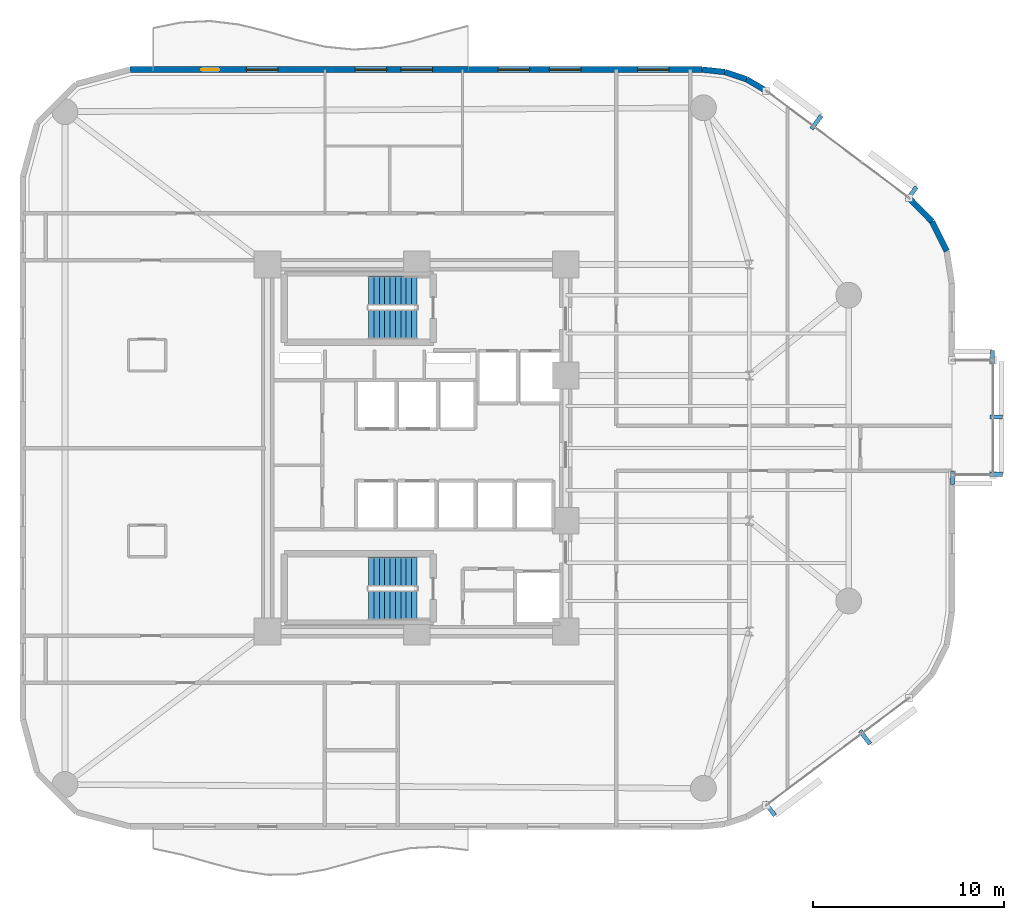
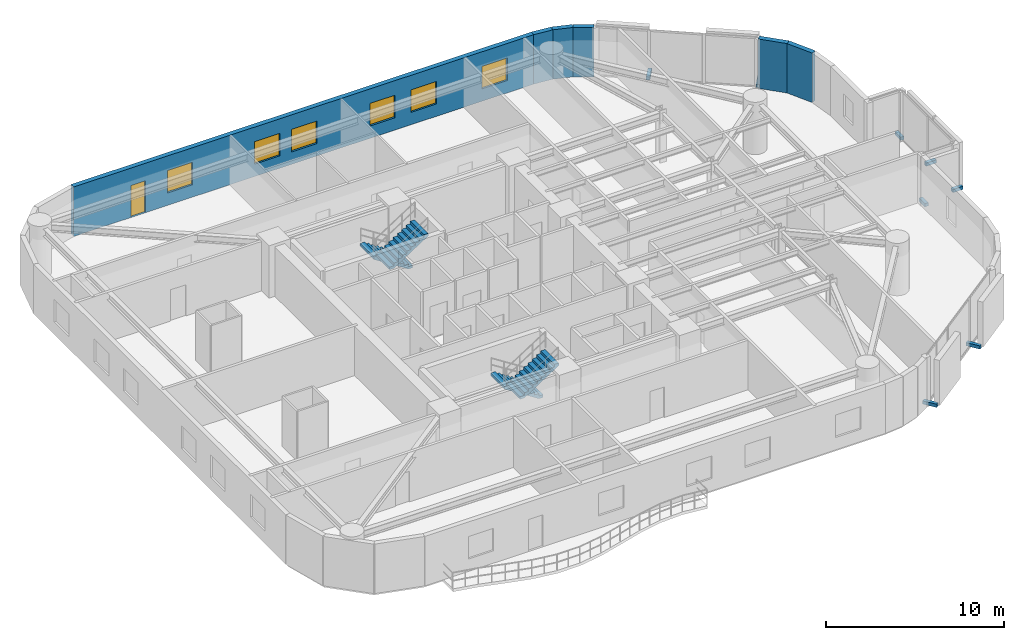
# One storey, part 11 of 14: 8 discrete accessories, 6 walls, 6 windows, 4 stair flights, 1 door, 7 openings, 2 elements without a shape of their own.
"""IFC4 building model written with IfcOpenShell, lengths in metres."""

from ifc_helpers import new_model, si_unit, direction, frame, frame_2d, origin, origin_2d, place, context, subcontext, project, spatial, polyline, rectangle, outline, extrude, material, layer, layer_set, type_object, element, fill, aggregate, save


model = new_model("IFC4")

# Units and contexts
model_context = context("Model", 3, precision=1e-05, world=origin(), true_north=direction((0.0, 1.0)))
body_context = subcontext(model_context, "Body", "Model", "MODEL_VIEW")
ifc_project = project(units=[si_unit("LENGTHUNIT", "METRE"), si_unit("AREAUNIT", "SQUARE_METRE"), si_unit("VOLUMEUNIT", "CUBIC_METRE"), si_unit("PLANEANGLEUNIT", "RADIAN"), si_unit("MASSUNIT", "GRAM", prefix="KILO")], contexts=[model_context])

# Site, building, storey
site_placement = place(None, origin())
site = spatial("IfcSite", under=ifc_project, at=site_placement, CompositionType="ELEMENT")
building_placement = place(site_placement, origin())
building = spatial("IfcBuilding", under=site, at=building_placement, Name="An Khanh Terracotta Commons", CompositionType="ELEMENT")
storey_placement = place(building_placement, frame((0.0, 0.0, 115.10009765625)))
storey = spatial("IfcBuildingStorey", under=building, at=storey_placement, Name="L30", CompositionType="ELEMENT", Elevation=115.10009765625)

# Walls
ifc_material_1 = material(Name="Precast concrete C40/50", Category="concrete")
ifc_layer = layer(ifc_material_1, 0.300048828125, Name="Precast concrete C40/50")
ifc_layer_set = layer_set([ifc_layer], Name="Precast concrete C40/50")
wall_type = type_object("IfcWallType", Name="WALL-EXT-300", PredefinedType="SOLIDWALL", material=ifc_layer_set)
for number, where, z_axis, x_axis, name in (
    (1, (57.135009765625, 34.303955078125, 0.0), (0.0, 0.0, 1.0), (-0.4472135955, 0.894427191, 0.0), "L30 Insulated Terracotta Exterior Wall 14"),
    (2, (56.364013671875, 35.845947265625, 0.0), (0.0, 0.0, 1.0), (-0.6983450845, 0.715761233201, 0.0), "L30 Insulated Terracotta Exterior Wall 15"),
):
    element("IfcWall", number, at=place(storey_placement, frame(where, z_axis=z_axis, x_axis=x_axis)), inside=storey, type_object=wall_type, Name=name, PredefinedType="SOLIDWALL", context=body_context, shape_type="SweptSolid", body=[
        extrude(rectangle(XDim=1.72412109375, YDim=0.300048828125, at=frame_2d((0.862060546875, 0.0))), origin(), (0.0, 0.0, 1.0), 3.39990234375),
    ])
wall_1_placement = place(storey_placement, frame((47.693115234375, 42.679931640625, 0.0), z_axis=(0.0, 0.0, 1.0), x_axis=(-0.859320591642, 0.511437308749, 0.0)))
element("IfcWall", 3, at=wall_1_placement, inside=storey, type_object=wall_type, Name="L30 Insulated Terracotta Exterior Wall 17", PredefinedType="SOLIDWALL", context=body_context, shape_type="SweptSolid", body=[
    extrude(rectangle(XDim=1.19873046875, YDim=0.300048828125, at=frame_2d((0.599365234375, 0.0))), origin(), (0.0, 0.0, 1.0), 3.39990234375),
])
wall_2_placement = place(storey_placement, frame((46.6630859375, 43.29296875, 0.0), z_axis=(0.0, 0.0, 1.0), x_axis=(-0.948744332129, 0.316044604847, 0.0)))
element("IfcWall", 4, at=wall_2_placement, inside=storey, type_object=wall_type, Name="L30 Insulated Terracotta Exterior Wall 18", PredefinedType="SOLIDWALL", context=body_context, shape_type="SweptSolid", body=[
    extrude(rectangle(XDim=1.19970703125, YDim=0.300048828125, at=frame_2d((0.599853515625, 0.0))), origin(), (0.0, 0.0, 1.0), 3.39990234375),
])
wall_3_placement = place(storey_placement, frame((45.52490234375, 43.672119140625, 0.0), z_axis=(0.0, 0.0, 1.0), x_axis=(-0.994289103787, 0.106720092254, 0.0)))
element("IfcWall", 5, at=wall_3_placement, inside=storey, type_object=wall_type, Name="L30 Insulated Terracotta Exterior Wall 19", PredefinedType="SOLIDWALL", context=body_context, shape_type="SweptSolid", body=[
    extrude(rectangle(XDim=1.19873046875, YDim=0.300048828125, at=frame_2d((0.599365234375, 0.0))), origin(), (0.0, 0.0, 1.0), 3.39990234375),
])

# Wall, openings, door, windows
wall_4_placement = place(storey_placement, frame((44.3330078125, 43.800048828125, 0.0), z_axis=(0.0, 0.0, 1.0), x_axis=(-1.0, 0.0, 0.0)))
wall_4 = element("IfcWall", 6, at=wall_4_placement, inside=storey, type_object=wall_type, Name="L30 Insulated Terracotta Exterior Wall 20", PredefinedType="SOLIDWALL", context=body_context, shape_type="SweptSolid", body=[
    extrude(rectangle(XDim=29.93310546875, YDim=0.300048828125, at=frame_2d((14.966552734375, 0.0))), origin(), (0.0, 0.0, 1.0), 3.39990234375),
])
opening_1_placement = place(wall_4_placement, frame((25.258056640625, 0.0, 0.0)))
opening_1 = element("IfcOpeningElement", 7, at=opening_1_placement, cuts=wall_4, Name="Opening D-BAL", PredefinedType="OPENING", context=body_context, shape_type="SweptSolid", body=[
    extrude(rectangle(XDim=0.949951171875, YDim=2.199951171875, at=frame_2d((0.47509765625, 1.10009765625))), frame((0.0, 0.159912109375, 0.0), z_axis=(0.0, -1.0, 0.0), x_axis=(1.0, 0.0, 0.0)), (0.0, 0.0, 1.0), 0.320068359375),
])
opening_2_placement = place(wall_4_placement, frame((1.72900390625, 0.0, 0.85009765625)))
opening_2 = element("IfcOpeningElement", 8, at=opening_2_placement, cuts=wall_4, Name="Opening W-02", PredefinedType="OPENING", context=body_context, shape_type="SweptSolid", body=[
    extrude(rectangle(XDim=1.64990234375, YDim=1.550048828125, at=frame_2d((0.824951171875, 0.77490234375))), frame((0.0, 0.159912109375, 0.0), z_axis=(0.0, -1.0, 0.0), x_axis=(1.0, 0.0, 0.0)), (0.0, 0.0, 1.0), 0.320068359375),
])
opening_3_placement = place(wall_4_placement, frame((6.341064453125, 0.0, 0.85009765625)))
opening_3 = element("IfcOpeningElement", 9, at=opening_3_placement, cuts=wall_4, Name="Opening W-02", PredefinedType="OPENING", context=body_context, shape_type="SweptSolid", body=[
    extrude(rectangle(XDim=1.64990234375, YDim=1.550048828125, at=frame_2d((0.824951171875, 0.77490234375))), frame((0.0, 0.159912109375, 0.0), z_axis=(0.0, -1.0, 0.0), x_axis=(1.0, 0.0, 0.0)), (0.0, 0.0, 1.0), 0.320068359375),
])
opening_4_placement = place(wall_4_placement, frame((9.02490234375, 0.0, 0.85009765625)))
opening_4 = element("IfcOpeningElement", 10, at=opening_4_placement, cuts=wall_4, Name="Opening W-02", PredefinedType="OPENING", context=body_context, shape_type="SweptSolid", body=[
    extrude(rectangle(XDim=1.64990234375, YDim=1.550048828125, at=frame_2d((0.824951171875, 0.77490234375))), frame((0.0, 0.159912109375, 0.0), z_axis=(0.0, -1.0, 0.0), x_axis=(1.0, 0.0, 0.0)), (0.0, 0.0, 1.0), 0.320068359375),
])
opening_5_placement = place(wall_4_placement, frame((14.10791015625, 0.0, 0.85009765625)))
opening_5 = element("IfcOpeningElement", 11, at=opening_5_placement, cuts=wall_4, Name="Opening W-02", PredefinedType="OPENING", context=body_context, shape_type="SweptSolid", body=[
    extrude(rectangle(XDim=1.64990234375, YDim=1.550048828125, at=frame_2d((0.824951171875, 0.77490234375))), frame((0.0, 0.159912109375, 0.0), z_axis=(0.0, -1.0, 0.0), x_axis=(1.0, 0.0, 0.0)), (0.0, 0.0, 1.0), 0.320068359375),
])
opening_6_placement = place(wall_4_placement, frame((16.508056640625, 0.0, 0.85009765625)))
opening_6 = element("IfcOpeningElement", 12, at=opening_6_placement, cuts=wall_4, Name="Opening W-02", PredefinedType="OPENING", context=body_context, shape_type="SweptSolid", body=[
    extrude(rectangle(XDim=1.64990234375, YDim=1.550048828125, at=frame_2d((0.824951171875, 0.77490234375))), frame((0.0, 0.159912109375, 0.0), z_axis=(0.0, -1.0, 0.0), x_axis=(1.0, 0.0, 0.0)), (0.0, 0.0, 1.0), 0.320068359375),
])
opening_7_placement = place(wall_4_placement, frame((22.19091796875, 0.0, 0.85009765625)))
opening_7 = element("IfcOpeningElement", 13, at=opening_7_placement, cuts=wall_4, Name="Opening W-02", PredefinedType="OPENING", context=body_context, shape_type="SweptSolid", body=[
    extrude(rectangle(XDim=1.64990234375, YDim=1.550048828125, at=frame_2d((0.824951171875, 0.77490234375))), frame((0.0, 0.159912109375, 0.0), z_axis=(0.0, -1.0, 0.0), x_axis=(1.0, 0.0, 0.0)), (0.0, 0.0, 1.0), 0.320068359375),
])
ifc_material_2 = material(Name="Thermally Broken Aluminium and Low-E Glass", Category="aluminium")
door_type = type_object("IfcDoorType", Name="DOOR-BALC-950", OperationType="NOTDEFINED", PredefinedType="DOOR", material=ifc_material_2)
door_placement = place(opening_1_placement, origin())
door = element("IfcDoor", 14, at=door_placement, inside=storey, type_object=door_type, Name="L30 N Wave Balcony Glazed Door", OperationType="SINGLE_SWING_RIGHT", OverallHeight=2.199951171875, OverallWidth=0.949951171875, PredefinedType="DOOR", context=body_context, shape_type="SweptSolid", body=[
    extrude(rectangle(XDim=0.949951171875, YDim=2.199951171875, at=frame_2d((0.47509765625, 1.10009765625))), frame((0.0, 0.02490234375, 0.0), z_axis=(0.0, -1.0, 0.0), x_axis=(1.0, 0.0, 0.0)), (0.0, 0.0, 1.0), 0.050048828125),
])
fill(opening_1, door)
window_type = type_object("IfcWindowType", Name="WIN-Z2-1650x1550", PartitioningType="DOUBLE_PANEL_VERTICAL", PredefinedType="WINDOW", material=ifc_material_2)
window_1_placement = place(opening_2_placement, origin())
window_1 = element("IfcWindow", 15, at=window_1_placement, inside=storey, type_object=window_type, Name="L30 Operable Casement Window 20.1", OverallHeight=1.550048828125, OverallWidth=1.64990234375, PartitioningType="DOUBLE_PANEL_VERTICAL", PredefinedType="WINDOW", context=body_context, shape_type="SweptSolid", body=[
    extrude(rectangle(XDim=1.64990234375, YDim=1.550048828125, at=frame_2d((0.824951171875, 0.77490234375))), frame((0.0, 0.030029296875, 0.0), z_axis=(0.0, -1.0, 0.0), x_axis=(1.0, 0.0, 0.0)), (0.0, 0.0, 1.0), 0.06005859375),
])
fill(opening_2, window_1)
window_2_placement = place(opening_3_placement, origin())
window_2 = element("IfcWindow", 16, at=window_2_placement, inside=storey, type_object=window_type, Name="L30 Operable Casement Window 20.2", OverallHeight=1.550048828125, OverallWidth=1.64990234375, PartitioningType="DOUBLE_PANEL_VERTICAL", PredefinedType="WINDOW", context=body_context, shape_type="SweptSolid", body=[
    extrude(rectangle(XDim=1.64990234375, YDim=1.550048828125, at=frame_2d((0.824951171875, 0.77490234375))), frame((0.0, 0.030029296875, 0.0), z_axis=(0.0, -1.0, 0.0), x_axis=(1.0, 0.0, 0.0)), (0.0, 0.0, 1.0), 0.06005859375),
])
fill(opening_3, window_2)
window_3_placement = place(opening_4_placement, origin())
window_3 = element("IfcWindow", 17, at=window_3_placement, inside=storey, type_object=window_type, Name="L30 Operable Casement Window 20.3", OverallHeight=1.550048828125, OverallWidth=1.64990234375, PartitioningType="DOUBLE_PANEL_VERTICAL", PredefinedType="WINDOW", context=body_context, shape_type="SweptSolid", body=[
    extrude(rectangle(XDim=1.64990234375, YDim=1.550048828125, at=frame_2d((0.824951171875, 0.77490234375))), frame((0.0, 0.030029296875, 0.0), z_axis=(0.0, -1.0, 0.0), x_axis=(1.0, 0.0, 0.0)), (0.0, 0.0, 1.0), 0.06005859375),
])
fill(opening_4, window_3)
window_4_placement = place(opening_5_placement, origin())
window_4 = element("IfcWindow", 18, at=window_4_placement, inside=storey, type_object=window_type, Name="L30 Operable Casement Window 20.4", OverallHeight=1.550048828125, OverallWidth=1.64990234375, PartitioningType="DOUBLE_PANEL_VERTICAL", PredefinedType="WINDOW", context=body_context, shape_type="SweptSolid", body=[
    extrude(rectangle(XDim=1.64990234375, YDim=1.550048828125, at=frame_2d((0.824951171875, 0.77490234375))), frame((0.0, 0.030029296875, 0.0), z_axis=(0.0, -1.0, 0.0), x_axis=(1.0, 0.0, 0.0)), (0.0, 0.0, 1.0), 0.06005859375),
])
fill(opening_5, window_4)
window_5_placement = place(opening_6_placement, origin())
window_5 = element("IfcWindow", 19, at=window_5_placement, inside=storey, type_object=window_type, Name="L30 Operable Casement Window 20.5", OverallHeight=1.550048828125, OverallWidth=1.64990234375, PartitioningType="DOUBLE_PANEL_VERTICAL", PredefinedType="WINDOW", context=body_context, shape_type="SweptSolid", body=[
    extrude(rectangle(XDim=1.64990234375, YDim=1.550048828125, at=frame_2d((0.824951171875, 0.77490234375))), frame((0.0, 0.030029296875, 0.0), z_axis=(0.0, -1.0, 0.0), x_axis=(1.0, 0.0, 0.0)), (0.0, 0.0, 1.0), 0.06005859375),
])
fill(opening_6, window_5)
window_6_placement = place(opening_7_placement, origin())
window_6 = element("IfcWindow", 20, at=window_6_placement, inside=storey, type_object=window_type, Name="L30 Operable Casement Window 20.6", OverallHeight=1.550048828125, OverallWidth=1.64990234375, PartitioningType="DOUBLE_PANEL_VERTICAL", PredefinedType="WINDOW", context=body_context, shape_type="SweptSolid", body=[
    extrude(rectangle(XDim=1.64990234375, YDim=1.550048828125, at=frame_2d((0.824951171875, 0.77490234375))), frame((0.0, 0.030029296875, 0.0), z_axis=(0.0, -1.0, 0.0), x_axis=(1.0, 0.0, 0.0)), (0.0, 0.0, 1.0), 0.06005859375),
])
fill(opening_7, window_6)

# Stair, stair flights
stair_type = type_object("IfcStairType", Name="STAIR-CORE-1550", PredefinedType="HALF_TURN_STAIR", material=ifc_material_1)
stair_1_placement = place(storey_placement, origin())
stair_1 = element("IfcStair", 21, at=stair_1_placement, inside=storey, type_object=stair_type, Name="L30 Core Smokeproof Exit Stair ST-01", PredefinedType="HALF_TURN_STAIR")
stair_flight_type = type_object("IfcStairFlightType", Name="FLIGHT-CORE-1550", PredefinedType="STRAIGHT", material=ifc_material_1)
stair_flight_1_placement = place(storey_placement, frame((29.409912109375, 32.22509765625, 0.0), z_axis=(0.0, 0.0, 1.0), x_axis=(-1.0, 0.0, 0.0)))
stair_flight_1 = element("IfcStairFlight", 22, at=stair_flight_1_placement, type_object=stair_flight_type, Name="ST-01 flight 1", NumberOfRisers=10, NumberOfTreads=9, PredefinedType="STRAIGHT", RiserHeight=0.18, TreadLength=0.28, context=body_context, shape_type="SweptSolid", body=[
    extrude(outline(polyline([(0.0, 0.0), (0.0, 0.179931640625), (0.280029296875, 0.179931640625), (0.280029296875, 0.360107421875), (0.56005859375, 0.360107421875), (0.56005859375, 0.5400390625), (0.840087890625, 0.5400390625), (0.840087890625, 0.719970703125), (1.1201171875, 0.719970703125), (1.1201171875, 0.89990234375), (1.39990234375, 0.89990234375), (1.39990234375, 1.080078125), (1.679931640625, 1.080078125), (1.679931640625, 1.260009765625), (1.9599609375, 1.260009765625), (1.9599609375, 1.43994140625), (2.239990234375, 1.43994140625), (2.239990234375, 1.6201171875), (2.52001953125, 1.6201171875), (2.52001953125, 1.800048828125), (2.52001953125, 1.44189453125), (0.277099609375, 0.0), (0.0, 0.0)])), frame((0.0, 0.77490234375, 0.0), z_axis=(0.0, -1.0, 0.0), x_axis=(1.0, 0.0, 0.0)), (0.0, 0.0, 1.0), 1.550048828125),
])
stair_flight_2_placement = place(storey_placement, frame((26.889892578125, 30.47509765625, 1.7998046875), z_axis=(0.0, 0.0, 1.0), x_axis=(1.0, 0.0, 0.0)))
stair_flight_2 = element("IfcStairFlight", 23, at=stair_flight_2_placement, type_object=stair_flight_type, Name="ST-01 flight 2", NumberOfRisers=10, NumberOfTreads=9, PredefinedType="STRAIGHT", RiserHeight=0.18, TreadLength=0.28, context=body_context, shape_type="SweptSolid", body=[
    extrude(outline(polyline([(0.0, 0.0), (0.0, 0.179931640625), (0.280029296875, 0.179931640625), (0.280029296875, 0.360107421875), (0.56005859375, 0.360107421875), (0.56005859375, 0.5400390625), (0.840087890625, 0.5400390625), (0.840087890625, 0.719970703125), (1.1201171875, 0.719970703125), (1.1201171875, 0.89990234375), (1.39990234375, 0.89990234375), (1.39990234375, 1.080078125), (1.679931640625, 1.080078125), (1.679931640625, 1.260009765625), (1.9599609375, 1.260009765625), (1.9599609375, 1.43994140625), (2.239990234375, 1.43994140625), (2.239990234375, 1.6201171875), (2.52001953125, 1.6201171875), (2.52001953125, 1.800048828125), (2.52001953125, 1.44189453125), (0.277099609375, 0.0), (0.0, 0.0)])), frame((0.0, 0.77490234375, 0.0), z_axis=(0.0, -1.0, 0.0), x_axis=(1.0, 0.0, 0.0)), (0.0, 0.0, 1.0), 1.550048828125),
])
aggregate(stair_1, [stair_flight_1, stair_flight_2])

stair_2_placement = place(storey_placement, origin())
stair_2 = element("IfcStair", 24, at=stair_2_placement, inside=storey, type_object=stair_type, Name="L30 Core Smokeproof Exit Stair ST-02", PredefinedType="HALF_TURN_STAIR")
stair_flight_3_placement = place(storey_placement, frame((29.409912109375, 17.52490234375, 0.0), z_axis=(0.0, 0.0, 1.0), x_axis=(-1.0, 0.0, 0.0)))
stair_flight_3 = element("IfcStairFlight", 25, at=stair_flight_3_placement, type_object=stair_flight_type, Name="ST-02 flight 1", NumberOfRisers=10, NumberOfTreads=9, PredefinedType="STRAIGHT", RiserHeight=0.18, TreadLength=0.28, context=body_context, shape_type="SweptSolid", body=[
    extrude(outline(polyline([(0.0, 0.0), (0.0, 0.179931640625), (0.280029296875, 0.179931640625), (0.280029296875, 0.360107421875), (0.56005859375, 0.360107421875), (0.56005859375, 0.5400390625), (0.840087890625, 0.5400390625), (0.840087890625, 0.719970703125), (1.1201171875, 0.719970703125), (1.1201171875, 0.89990234375), (1.39990234375, 0.89990234375), (1.39990234375, 1.080078125), (1.679931640625, 1.080078125), (1.679931640625, 1.260009765625), (1.9599609375, 1.260009765625), (1.9599609375, 1.43994140625), (2.239990234375, 1.43994140625), (2.239990234375, 1.6201171875), (2.52001953125, 1.6201171875), (2.52001953125, 1.800048828125), (2.52001953125, 1.44189453125), (0.277099609375, 0.0), (0.0, 0.0)])), frame((0.0, 0.77490234375, 0.0), z_axis=(0.0, -1.0, 0.0), x_axis=(1.0, 0.0, 0.0)), (0.0, 0.0, 1.0), 1.550048828125),
])
stair_flight_4_placement = place(storey_placement, frame((26.889892578125, 15.77490234375, 1.7998046875), z_axis=(0.0, 0.0, 1.0), x_axis=(1.0, 0.0, 0.0)))
stair_flight_4 = element("IfcStairFlight", 26, at=stair_flight_4_placement, type_object=stair_flight_type, Name="ST-02 flight 2", NumberOfRisers=10, NumberOfTreads=9, PredefinedType="STRAIGHT", RiserHeight=0.18, TreadLength=0.28, context=body_context, shape_type="SweptSolid", body=[
    extrude(outline(polyline([(0.0, 0.0), (0.0, 0.179931640625), (0.280029296875, 0.179931640625), (0.280029296875, 0.360107421875), (0.56005859375, 0.360107421875), (0.56005859375, 0.5400390625), (0.840087890625, 0.5400390625), (0.840087890625, 0.719970703125), (1.1201171875, 0.719970703125), (1.1201171875, 0.89990234375), (1.39990234375, 0.89990234375), (1.39990234375, 1.080078125), (1.679931640625, 1.080078125), (1.679931640625, 1.260009765625), (1.9599609375, 1.260009765625), (1.9599609375, 1.43994140625), (2.239990234375, 1.43994140625), (2.239990234375, 1.6201171875), (2.52001953125, 1.6201171875), (2.52001953125, 1.800048828125), (2.52001953125, 1.44189453125), (0.277099609375, 0.0), (0.0, 0.0)])), frame((0.0, 0.77490234375, 0.0), z_axis=(0.0, -1.0, 0.0), x_axis=(1.0, 0.0, 0.0)), (0.0, 0.0, 1.0), 1.550048828125),
])
aggregate(stair_2, [stair_flight_3, stair_flight_4])

# Discrete accessories
ifc_material_3 = material(Name="Stainless Steel Grade 316L", Category="steel")
discrete_accessory_type = type_object("IfcDiscreteAccessoryType", Name="Stainless Outrigger Facade Bracket", PredefinedType="BRACKET", material=ifc_material_3)
for number, where, z_axis, x_axis, name in (
    (27, (47.8798828125, 5.12890625, 0.06982421875), (0.0, 0.0, 1.0), (0.800012856594, 0.599982857492, 0.0), "L30 Terracotta Screen Outrigger Bracket 1"),
    (28, (52.85791015625, 8.862060546875, 0.06982421875), (0.0, 0.0, 1.0), (0.800012856594, 0.599982857492, 0.0), "L30 Terracotta Screen Outrigger Bracket 3"),
):
    element("IfcDiscreteAccessory", number, at=place(storey_placement, frame(where, z_axis=z_axis, x_axis=x_axis)), inside=storey, type_object=discrete_accessory_type, Name=name, PredefinedType="BRACKET", context=body_context, shape_type="SweptSolid", body=[
        extrude(rectangle(XDim=0.219970703125, YDim=0.8701171875, at=origin_2d()), origin(), (0.0, 0.0, 1.0), 0.219970703125),
    ])
for number, where, z_axis, x_axis, name in (
    (29, (59.715087890625, 22.633056640625, 0.06982421875), (0.0, 0.0, 1.0), (0.0, 1.0, 0.0), "L30 Terracotta Screen Outrigger Bracket 1"),
    (30, (59.715087890625, 25.633056640625, 0.06982421875), (0.0, 0.0, 1.0), (0.0, 1.0, 0.0), "L30 Terracotta Screen Outrigger Bracket 2"),
    (31, (57.431884765625, 22.43505859375, 0.06982421875), (0.0, 0.0, 1.0), (1.0, 0.0, 0.0), "L30 Terracotta Screen Outrigger Bracket 1"),
    (32, (59.51708984375, 28.764892578125, 0.06982421875), (0.0, 0.0, 1.0), (-1.0, 0.0, 0.0), "L30 Terracotta Screen Outrigger Bracket 1"),
):
    element("IfcDiscreteAccessory", number, at=place(storey_placement, frame(where, z_axis=z_axis, x_axis=x_axis)), inside=storey, type_object=discrete_accessory_type, Name=name, PredefinedType="BRACKET", context=body_context, shape_type="SweptSolid", body=[
        extrude(rectangle(XDim=0.219970703125, YDim=0.669921875, at=origin_2d()), origin(), (0.0, 0.0, 1.0), 0.219970703125),
    ])
for number, where, z_axis, x_axis, name in (
    (33, (55.291015625, 37.31298828125, 0.06982421875), (0.0, 0.0, 1.0), (-0.800012856594, 0.599982857492, 0.0), "L30 Terracotta Screen Outrigger Bracket 1"),
    (34, (50.31298828125, 41.0458984375, 0.06982421875), (0.0, 0.0, 1.0), (-0.800012856594, 0.599982857492, 0.0), "L30 Terracotta Screen Outrigger Bracket 3"),
):
    element("IfcDiscreteAccessory", number, at=place(storey_placement, frame(where, z_axis=z_axis, x_axis=x_axis)), inside=storey, type_object=discrete_accessory_type, Name=name, PredefinedType="BRACKET", context=body_context, shape_type="SweptSolid", body=[
        extrude(rectangle(XDim=0.219970703125, YDim=0.8701171875, at=origin_2d()), origin(), (0.0, 0.0, 1.0), 0.219970703125),
    ])

save(model, "model.ifc")
